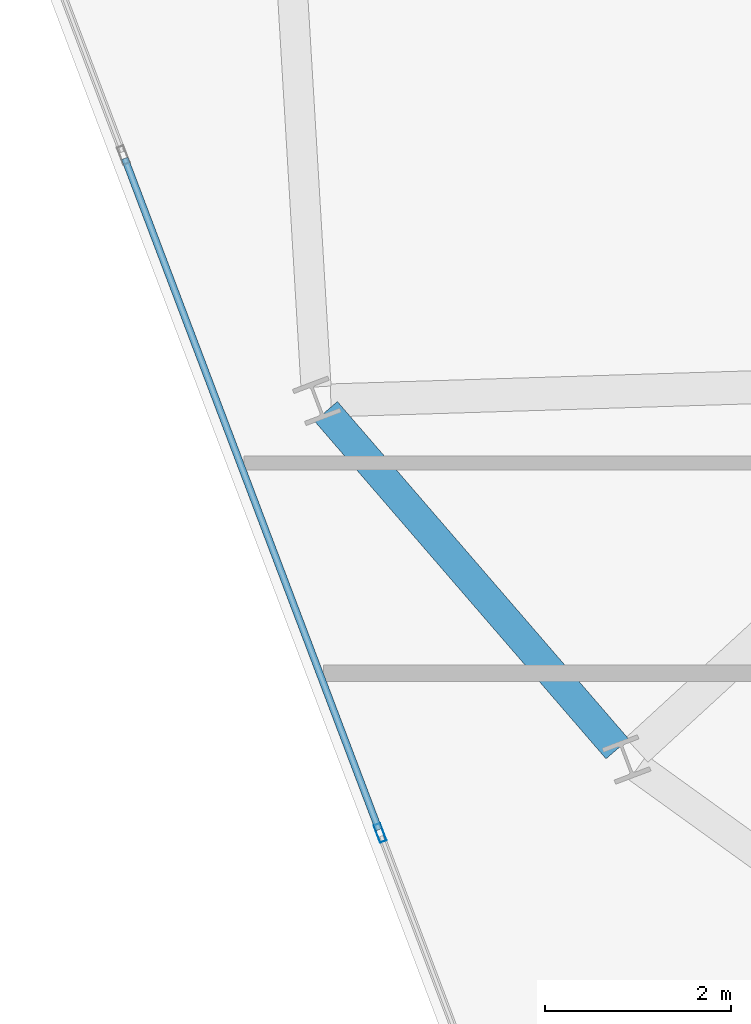
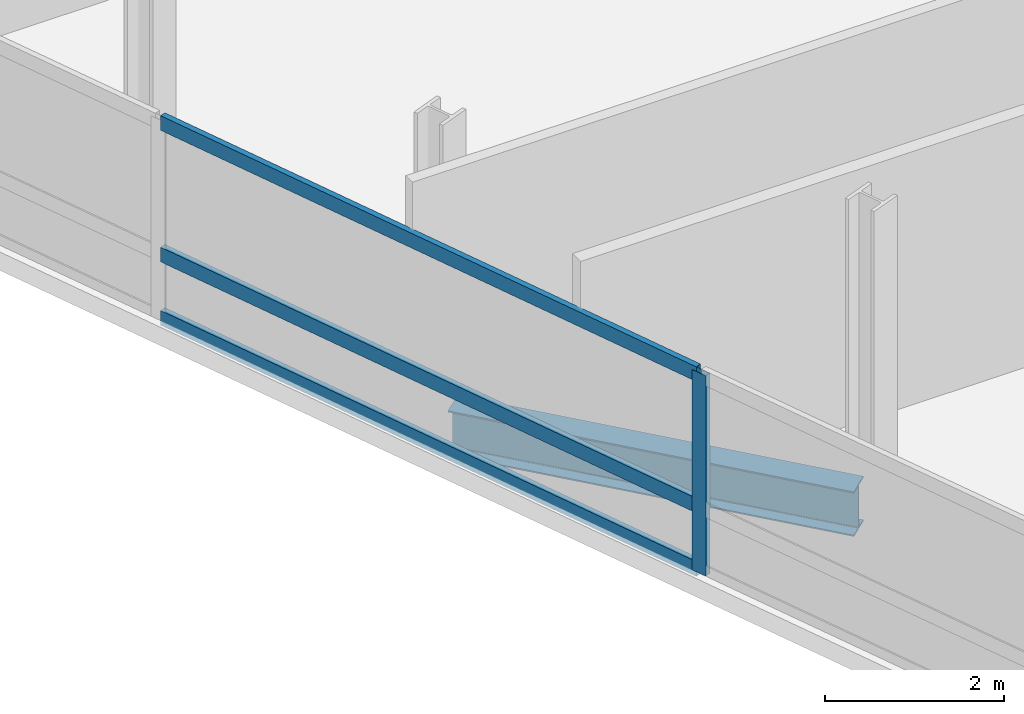
# One storey, part 5 of 20: 4 members, 1 beam, 1 element without a shape of its own.
"""IFC4 building model written with IfcOpenShell, lengths in metres."""

import ifcopenshell
import ifcopenshell.guid

model = None  # the IFC model being written
_history = None  # IfcOwnerHistory: only IFC2X3 demands one
_inside = {}  # id of a spatial element -> (the spatial element, [elements in it])
_under = {}  # id of a project, library or spatial element -> (it, [spatial elements below it])
_declared = {}  # id of a project -> (the project, [libraries it declares])
_typed = {}  # id of a type object -> (the type object, [elements of that type])
_made_of = {}  # id of a material, layer set ... -> (it, [elements and type objects made of it])


def new_model(schema):
    """Start an empty IFC model of exactly this schema.

    Asked for "IFC4X3", IfcOpenShell would pick the latest addendum, in which some entities
    have other attributes; the version numbers below select the first issue.
    IFC2X3 requires an IfcOwnerHistory on every rooted entity: one is made here for all.
    """
    global model, _history
    if schema == "IFC4X3":
        model = ifcopenshell.file(schema_version=(4, 3, 0, 0))
    else:
        model = ifcopenshell.file(schema=schema)
    _inside.clear()
    _under.clear()
    _declared.clear()
    _typed.clear()
    _made_of.clear()
    _history = None
    if model.schema == "IFC2X3":
        org = make("IfcOrganization", Name="unknown")
        user = make(
            "IfcPersonAndOrganization",
            ThePerson=make("IfcPerson", FamilyName="unknown"),
            TheOrganization=org,
        )
        app = make(
            "IfcApplication",
            ApplicationDeveloper=org,
            Version="unknown",
            ApplicationFullName="unknown",
            ApplicationIdentifier="unknown",
        )
        _history = make(
            "IfcOwnerHistory",
            OwningUser=user,
            OwningApplication=app,
            ChangeAction="ADDED",
            CreationDate=0,
        )
    return model


def make(cls, **values):
    """One entity of the class cls with the attributes given. An attribute that is None is left unset."""
    return model.create_entity(
        cls, **{name: value for name, value in values.items() if value is not None}
    )


def rooted(cls, **values):
    """An entity with a GlobalId (a new one), such as an element, a storey or a relation."""
    return make(cls, GlobalId=ifcopenshell.guid.new(), OwnerHistory=_history, **values)


def si_unit(unit_type, name, prefix=None):
    """IfcSIUnit, for example si_unit("LENGTHUNIT", "METRE", prefix="MILLI")."""
    return make("IfcSIUnit", UnitType=unit_type, Prefix=prefix, Name=name)


def assignment(units):
    """IfcUnitAssignment: the units of a project."""
    return None if units is None else make("IfcUnitAssignment", Units=units)


def point(xyz):
    """IfcCartesianPoint."""
    return None if xyz is None else make("IfcCartesianPoint", Coordinates=xyz)


def direction(xyz):
    """IfcDirection."""
    return None if xyz is None else make("IfcDirection", DirectionRatios=xyz)


def frame(location, z_axis=None, x_axis=None):
    """IfcAxis2Placement3D, a coordinate frame: its origin and axes. An axis left out is left unset."""
    return make(
        "IfcAxis2Placement3D",
        Location=point(location),
        Axis=direction(z_axis),
        RefDirection=direction(x_axis),
    )


def frame_2d(location, x_axis=None):
    """IfcAxis2Placement2D, a coordinate frame in the plane: its origin and x axis."""
    return make(
        "IfcAxis2Placement2D", Location=point(location), RefDirection=direction(x_axis)
    )


def origin():
    """The frame at (0, 0, 0) with its axes left unset."""
    return frame((0.0, 0.0, 0.0))


def origin_2d():
    """The frame at (0, 0) in the plane with its x axis left unset."""
    return frame_2d((0.0, 0.0))


def place(relative_to, where):
    """IfcLocalPlacement: puts the frame where relative to a parent placement (None: the world)."""
    return make(
        "IfcLocalPlacement", PlacementRelTo=relative_to, RelativePlacement=where
    )


def context(
    kind, dimensions, precision=None, world=None, true_north=None, identifier=None
):
    """IfcGeometricRepresentationContext, for example the 3D "Model" context."""
    return make(
        "IfcGeometricRepresentationContext",
        ContextIdentifier=identifier,
        ContextType=kind,
        CoordinateSpaceDimension=dimensions,
        Precision=precision,
        WorldCoordinateSystem=world,
        TrueNorth=true_north,
    )


def subcontext(parent, identifier, kind, view, scale=None):
    """IfcGeometricRepresentationSubContext, for example "Body" below "Model"."""
    return make(
        "IfcGeometricRepresentationSubContext",
        ContextIdentifier=identifier,
        ContextType=kind,
        ParentContext=parent,
        TargetScale=scale,
        TargetView=view,
    )


def project(units=None, contexts=None):
    """IfcProject with its units and contexts."""
    return rooted(
        "IfcProject",
        Name="project",
        RepresentationContexts=contexts,
        UnitsInContext=assignment(units),
    )


def spatial(cls, under=None, at=None, **own):
    """A site, building, storey or space (cls), placed at a placement, below another one or the project."""
    s = rooted(cls, ObjectPlacement=at, **own)
    if under is not None:
        _under.setdefault(under.id(), (under, []))[1].append(s)
    return s


def profile(cls, at=None, kind="AREA", **sizes):
    """A parametric profile (cls). Its sizes go by their IFC names, for example OverallWidth=200.0."""
    return make(cls, ProfileType=kind, Position=at, **sizes)


def hollow_rectangle(**sizes):
    """IfcRectangleHollowProfileDef."""
    return profile("IfcRectangleHollowProfileDef", **sizes)


def i_section(**sizes):
    """IfcIShapeProfileDef."""
    return profile("IfcIShapeProfileDef", **sizes)


def extrude(swept, where, along, depth):
    """IfcExtrudedAreaSolid: the profile swept, set in the frame where, extruded along a direction by depth."""
    return make(
        "IfcExtrudedAreaSolid",
        SweptArea=swept,
        Position=where,
        ExtrudedDirection=direction(along),
        Depth=depth,
    )


def shape(context_of_items, identifier, shape_type, items):
    """IfcShapeRepresentation: the items that make up one representation, for example the "Body"."""
    return make(
        "IfcShapeRepresentation",
        ContextOfItems=context_of_items,
        RepresentationIdentifier=identifier,
        RepresentationType=shape_type,
        Items=items,
    )


def material(Name=None, Category=None):
    """IfcMaterial."""
    return make("IfcMaterial", Name=Name, Category=Category)


def layer(
    of_material, thickness, ventilated=None, Name=None, Category=None, Priority=None
):
    """IfcMaterialLayer: one layer of a wall or slab, of a material (None: an air gap)."""
    return make(
        "IfcMaterialLayer",
        Material=of_material,
        LayerThickness=thickness,
        IsVentilated=ventilated,
        Name=Name,
        Category=Category,
        Priority=Priority,
    )


def layer_set(layers, Name=None):
    """IfcMaterialLayerSet."""
    return make("IfcMaterialLayerSet", MaterialLayers=layers, LayerSetName=Name)


def material_profile(
    of_material, cross_section, Name=None, Category=None, Priority=None
):
    """IfcMaterialProfile: a cross section and its material."""
    return make(
        "IfcMaterialProfile",
        Name=Name,
        Material=of_material,
        Profile=cross_section,
        Priority=Priority,
        Category=Category,
    )


def profile_set(profiles, Name=None, composite=None):
    """IfcMaterialProfileSet."""
    return make(
        "IfcMaterialProfileSet",
        Name=Name,
        MaterialProfiles=profiles,
        CompositeProfile=composite,
    )


def made_of(thing, what):
    """Note that an element or type object is made of a material, layer set ...; save() writes the relation."""
    if what is not None:
        _made_of.setdefault(what.id(), (what, []))[1].append(thing)
    return thing


def type_object(cls, material=None, **own):
    """A type object (cls), such as IfcWallType, which elements share."""
    return made_of(rooted(cls, **own), material)


def element(
    cls,
    number,
    at=None,
    inside=None,
    cuts=None,
    type_object=None,
    material=None,
    context=None,
    identifier="Body",
    shape_type=None,
    held_by="IfcProductDefinitionShape",
    body=None,
    shapes=None,
    **own,
):
    """One element of the class cls, such as IfcWall. Its Tag is "e" and its number.

    at: its placement. inside: the storey or other place that contains it. cuts: it is an
    opening in that element (IfcRelVoidsElement). A single representation is given by context,
    identifier, shape_type and body (its items); several are given by shapes. held_by: the class
    of the entity that holds the representations. save() writes the other relations.
    """
    e = rooted(cls, Tag="e%d" % number, ObjectPlacement=at, **own)
    if body is not None:
        shapes = [shape(context, identifier, shape_type, body)]
    if shapes is not None:
        e.Representation = make(held_by, Representations=shapes)
    if inside is not None:
        _inside.setdefault(inside.id(), (inside, []))[1].append(e)
    if cuts is not None:
        rooted(
            "IfcRelVoidsElement", RelatingBuildingElement=cuts, RelatedOpeningElement=e
        )
    if type_object is not None:
        _typed.setdefault(type_object.id(), (type_object, []))[1].append(e)
    return made_of(e, material)


def aggregate(whole, parts):
    """IfcRelAggregates: a whole, such as a stair, and the parts it consists of."""
    return rooted("IfcRelAggregates", RelatingObject=whole, RelatedObjects=parts)


def save(model, path):
    """Write the relations noted so far, then the file.

    IfcRelAggregates (storeys below a building ...), IfcRelContainedInSpatialStructure (elements
    in a storey), IfcRelDefinesByType, IfcRelAssociatesMaterial and IfcRelDeclares: one each for
    every whole, place, type object, material and project.
    """
    for whole, parts in _under.values():
        aggregate(whole, parts)
    for where, things in _inside.values():
        rooted(
            "IfcRelContainedInSpatialStructure",
            RelatedElements=things,
            RelatingStructure=where,
        )
    for kind, things in _typed.values():
        rooted("IfcRelDefinesByType", RelatedObjects=things, RelatingType=kind)
    for what, things in _made_of.values():
        rooted("IfcRelAssociatesMaterial", RelatedObjects=things, RelatingMaterial=what)
    for by, libraries in _declared.values():
        rooted("IfcRelDeclares", RelatingContext=by, RelatedDefinitions=libraries)
    model.write(path)


model = new_model("IFC4")

# Units and contexts
model_context = context("Model", 3, precision=1e-05, world=origin(), true_north=direction((0.0, 1.0)))
body_context = subcontext(model_context, "Body", "Model", "MODEL_VIEW")
ifc_project = project(units=[si_unit("LENGTHUNIT", "METRE"), si_unit("AREAUNIT", "SQUARE_METRE"), si_unit("VOLUMEUNIT", "CUBIC_METRE"), si_unit("PLANEANGLEUNIT", "RADIAN"), si_unit("MASSUNIT", "GRAM", prefix="KILO")], contexts=[model_context])

# Site, building, storey
site_placement = place(None, origin())
site = spatial("IfcSite", under=ifc_project, at=site_placement, CompositionType="ELEMENT")
building_placement = place(site_placement, origin())
building = spatial("IfcBuilding", under=site, at=building_placement, Name="Varnelok Gate Tower", CompositionType="ELEMENT")
storey_placement = place(building_placement, frame((0.0, 0.0, 223.800048828125)))
storey = spatial("IfcBuildingStorey", under=building, at=storey_placement, Name="L57", CompositionType="ELEMENT", Elevation=223.800048828125)

# Beam
ifc_material_1 = material(Name="Structural Steel ASTM A992 Grade 50", Category="steel")
ifc_material_profile_1 = material_profile(ifc_material_1, i_section(OverallWidth=0.323974609375, OverallDepth=0.611083984375, WebThickness=0.0126953125, FlangeThickness=0.01904296875, FilletRadius=0.01806640625, at=origin_2d()), Name="W24X104")
ifc_profile_set_1 = profile_set([ifc_material_profile_1], Name="Structural Steel ASTM A992 Grade 50")
beam_type = type_object("IfcBeamType", Name="BM-SPN-W24X104", PredefinedType="SPANDREL", material=ifc_profile_set_1)
beam_placement = place(storey_placement, frame((7.79248046875, 18.1669921875, -0.5556640625), z_axis=(0.653484787698, -0.756939649013, 0.0), x_axis=(0.756939649013, 0.653484787698, 0.0)))
element("IfcBeam", 1, at=beam_placement, inside=storey, type_object=beam_type, Name="L57 Perimeter Spandrel Beam 15", PredefinedType="SPANDREL", context=body_context, shape_type="SweptSolid", body=[
    extrude(i_section(OverallWidth=0.323974609375, OverallDepth=0.611083984375, WebThickness=0.0126953125, FlangeThickness=0.01904296875, FilletRadius=0.01806640625, at=origin_2d()), origin(), (0.0, 0.0, 1.0), 4.800048828125),
])

# Curtain wall, members
ifc_material_2 = material(Name="Anodized Aluminum Alloy 6063-T6", Category="aluminium")
ifc_layer = layer(ifc_material_2, 0.179931640625)
ifc_layer_set = layer_set([ifc_layer], Name="Anodized Aluminum Alloy 6063-T6")
curtain_wall_type = type_object("IfcCurtainWallType", Name="CW4-RESIDENCE-VISION", PredefinedType="USERDEFINED", material=ifc_layer_set)
curtain_wall_placement = place(storey_placement, origin())
curtain_wall = element("IfcCurtainWall", 2, at=curtain_wall_placement, inside=storey, type_object=curtain_wall_type, Name="L57 West End Vision Curtain Wall", ObjectType="UNITISED CURTAIN WALL", PredefinedType="USERDEFINED")
ifc_material_profile_2 = material_profile(ifc_material_2, hollow_rectangle(XDim=0.074951171875, YDim=0.199951171875, WallThickness=0.00390625, at=origin_2d()), Name="ALU200X75X4")
ifc_profile_set_2 = profile_set([ifc_material_profile_2], Name="Anodized Aluminum Alloy 6063-T6")
member_type_1 = type_object("IfcMemberType", Name="CW-MULL-200", PredefinedType="MULLION", material=ifc_profile_set_2)
member_1_placement = place(storey_placement, frame((8.375, 13.630126953125, 0.0), z_axis=(0.0, 0.0, 1.0), x_axis=(-0.935221557832, -0.354063042079, 0.0)))
member_1 = element("IfcMember", 3, at=member_1_placement, type_object=member_type_1, Name="CW4 mullion 3", PredefinedType="MULLION", context=body_context, shape_type="SweptSolid", body=[
    extrude(hollow_rectangle(XDim=0.074951171875, YDim=0.199951171875, WallThickness=0.00390625, at=origin_2d()), origin(), (0.0, 0.0, 1.0), 2.72998046875),
])
ifc_material_profile_3 = material_profile(ifc_material_2, hollow_rectangle(XDim=0.074951171875, YDim=0.199951171875, WallThickness=0.00390625, at=origin_2d()), Name="ALU200X75X4")
ifc_profile_set_3 = profile_set([ifc_material_profile_3], Name="Anodized Aluminum Alloy 6063-T6")
member_type_2 = type_object("IfcMemberType", Name="CW-TRAN-200", PredefinedType="USERDEFINED", material=ifc_profile_set_3)
member_2_placement = place(storey_placement, frame((8.36181640625, 13.665283203125, 0.037353515625), z_axis=(-0.354058714128, 0.935223196328, 0.0), x_axis=(-0.935223196328, -0.354058714128, 0.0)))
member_2 = element("IfcMember", 4, at=member_2_placement, type_object=member_type_2, Name="CW4 transom 3.1", ObjectType="TRANSOM", PredefinedType="USERDEFINED", context=body_context, shape_type="SweptSolid", body=[
    extrude(hollow_rectangle(XDim=0.074951171875, YDim=0.199951171875, WallThickness=0.00390625, at=origin_2d()), origin(), (0.0, 0.0, 1.0), 7.72509765625),
])
member_3_placement = place(storey_placement, frame((8.36181640625, 13.665283203125, 0.89990234375), z_axis=(-0.354058714128, 0.935223196328, 0.0), x_axis=(-0.935223196328, -0.354058714128, 0.0)))
member_3 = element("IfcMember", 5, at=member_3_placement, type_object=member_type_2, Name="CW4 transom 3.2", ObjectType="TRANSOM", PredefinedType="USERDEFINED", context=body_context, shape_type="SweptSolid", body=[
    extrude(hollow_rectangle(XDim=0.074951171875, YDim=0.199951171875, WallThickness=0.00390625, at=origin_2d()), origin(), (0.0, 0.0, 1.0), 7.72509765625),
])
member_4_placement = place(storey_placement, frame((8.36181640625, 13.665283203125, 2.6923828125), z_axis=(-0.354058714128, 0.935223196328, 0.0), x_axis=(-0.935223196328, -0.354058714128, 0.0)))
member_4 = element("IfcMember", 6, at=member_4_placement, type_object=member_type_2, Name="CW4 transom 3.3", ObjectType="TRANSOM", PredefinedType="USERDEFINED", context=body_context, shape_type="SweptSolid", body=[
    extrude(hollow_rectangle(XDim=0.074951171875, YDim=0.199951171875, WallThickness=0.00390625, at=origin_2d()), origin(), (0.0, 0.0, 1.0), 7.72509765625),
])
aggregate(curtain_wall, [member_1, member_2, member_3, member_4])

save(model, "model.ifc")
